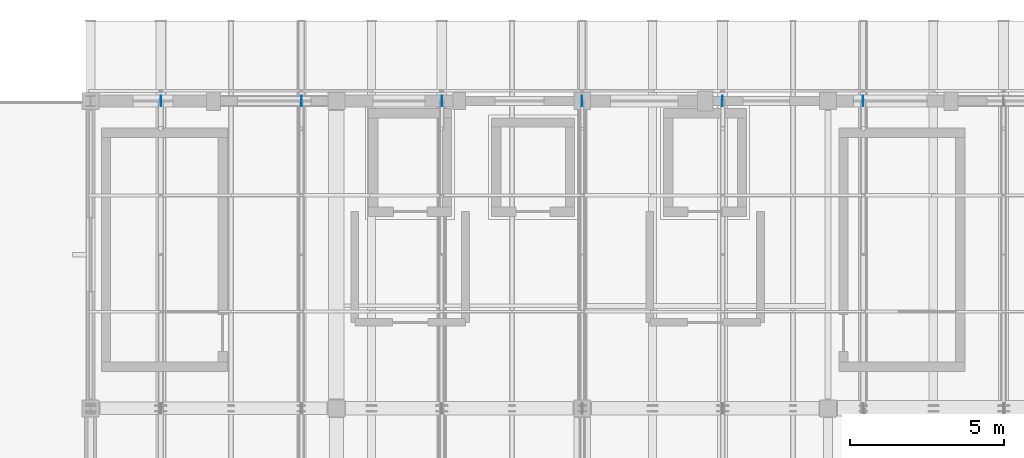
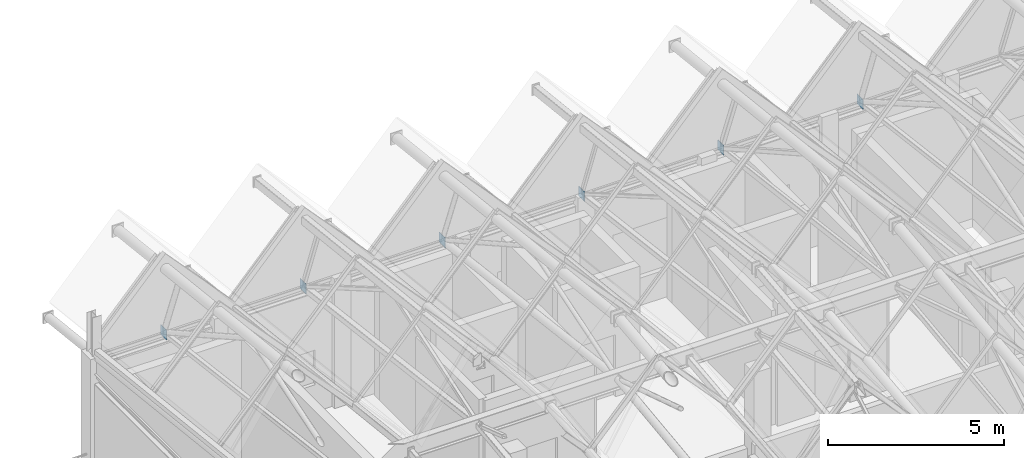
# One storey, part 8 of 15: 6 plates.
"""IFC4 building model written with IfcOpenShell, lengths in metres."""

import ifcopenshell
import ifcopenshell.guid

model = None  # the IFC model being written
_history = None  # IfcOwnerHistory: only IFC2X3 demands one
_inside = {}  # id of a spatial element -> (the spatial element, [elements in it])
_under = {}  # id of a project, library or spatial element -> (it, [spatial elements below it])
_declared = {}  # id of a project -> (the project, [libraries it declares])
_typed = {}  # id of a type object -> (the type object, [elements of that type])
_made_of = {}  # id of a material, layer set ... -> (it, [elements and type objects made of it])


def new_model(schema):
    """Start an empty IFC model of exactly this schema.

    Asked for "IFC4X3", IfcOpenShell would pick the latest addendum, in which some entities
    have other attributes; the version numbers below select the first issue.
    IFC2X3 requires an IfcOwnerHistory on every rooted entity: one is made here for all.
    """
    global model, _history
    if schema == "IFC4X3":
        model = ifcopenshell.file(schema_version=(4, 3, 0, 0))
    else:
        model = ifcopenshell.file(schema=schema)
    _inside.clear()
    _under.clear()
    _declared.clear()
    _typed.clear()
    _made_of.clear()
    _history = None
    if model.schema == "IFC2X3":
        org = make("IfcOrganization", Name="unknown")
        user = make(
            "IfcPersonAndOrganization",
            ThePerson=make("IfcPerson", FamilyName="unknown"),
            TheOrganization=org,
        )
        app = make(
            "IfcApplication",
            ApplicationDeveloper=org,
            Version="unknown",
            ApplicationFullName="unknown",
            ApplicationIdentifier="unknown",
        )
        _history = make(
            "IfcOwnerHistory",
            OwningUser=user,
            OwningApplication=app,
            ChangeAction="ADDED",
            CreationDate=0,
        )
    return model


def make(cls, **values):
    """One entity of the class cls with the attributes given. An attribute that is None is left unset."""
    return model.create_entity(
        cls, **{name: value for name, value in values.items() if value is not None}
    )


def rooted(cls, **values):
    """An entity with a GlobalId (a new one), such as an element, a storey or a relation."""
    return make(cls, GlobalId=ifcopenshell.guid.new(), OwnerHistory=_history, **values)


def si_unit(unit_type, name, prefix=None):
    """IfcSIUnit, for example si_unit("LENGTHUNIT", "METRE", prefix="MILLI")."""
    return make("IfcSIUnit", UnitType=unit_type, Prefix=prefix, Name=name)


def assignment(units):
    """IfcUnitAssignment: the units of a project."""
    return None if units is None else make("IfcUnitAssignment", Units=units)


def point(xyz):
    """IfcCartesianPoint."""
    return None if xyz is None else make("IfcCartesianPoint", Coordinates=xyz)


def direction(xyz):
    """IfcDirection."""
    return None if xyz is None else make("IfcDirection", DirectionRatios=xyz)


def frame(location, z_axis=None, x_axis=None):
    """IfcAxis2Placement3D, a coordinate frame: its origin and axes. An axis left out is left unset."""
    return make(
        "IfcAxis2Placement3D",
        Location=point(location),
        Axis=direction(z_axis),
        RefDirection=direction(x_axis),
    )


def frame_2d(location, x_axis=None):
    """IfcAxis2Placement2D, a coordinate frame in the plane: its origin and x axis."""
    return make(
        "IfcAxis2Placement2D", Location=point(location), RefDirection=direction(x_axis)
    )


def origin():
    """The frame at (0, 0, 0) with its axes left unset."""
    return frame((0.0, 0.0, 0.0))


def origin_2d():
    """The frame at (0, 0) in the plane with its x axis left unset."""
    return frame_2d((0.0, 0.0))


def place(relative_to, where):
    """IfcLocalPlacement: puts the frame where relative to a parent placement (None: the world)."""
    return make(
        "IfcLocalPlacement", PlacementRelTo=relative_to, RelativePlacement=where
    )


def context(
    kind, dimensions, precision=None, world=None, true_north=None, identifier=None
):
    """IfcGeometricRepresentationContext, for example the 3D "Model" context."""
    return make(
        "IfcGeometricRepresentationContext",
        ContextIdentifier=identifier,
        ContextType=kind,
        CoordinateSpaceDimension=dimensions,
        Precision=precision,
        WorldCoordinateSystem=world,
        TrueNorth=true_north,
    )


def subcontext(parent, identifier, kind, view, scale=None):
    """IfcGeometricRepresentationSubContext, for example "Body" below "Model"."""
    return make(
        "IfcGeometricRepresentationSubContext",
        ContextIdentifier=identifier,
        ContextType=kind,
        ParentContext=parent,
        TargetScale=scale,
        TargetView=view,
    )


def project(units=None, contexts=None):
    """IfcProject with its units and contexts."""
    return rooted(
        "IfcProject",
        Name="project",
        RepresentationContexts=contexts,
        UnitsInContext=assignment(units),
    )


def spatial(cls, under=None, at=None, **own):
    """A site, building, storey or space (cls), placed at a placement, below another one or the project."""
    s = rooted(cls, ObjectPlacement=at, **own)
    if under is not None:
        _under.setdefault(under.id(), (under, []))[1].append(s)
    return s


def profile(cls, at=None, kind="AREA", **sizes):
    """A parametric profile (cls). Its sizes go by their IFC names, for example OverallWidth=200.0."""
    return make(cls, ProfileType=kind, Position=at, **sizes)


def rectangle(**sizes):
    """IfcRectangleProfileDef."""
    return profile("IfcRectangleProfileDef", **sizes)


def extrude(swept, where, along, depth):
    """IfcExtrudedAreaSolid: the profile swept, set in the frame where, extruded along a direction by depth."""
    return make(
        "IfcExtrudedAreaSolid",
        SweptArea=swept,
        Position=where,
        ExtrudedDirection=direction(along),
        Depth=depth,
    )


def shape(context_of_items, identifier, shape_type, items):
    """IfcShapeRepresentation: the items that make up one representation, for example the "Body"."""
    return make(
        "IfcShapeRepresentation",
        ContextOfItems=context_of_items,
        RepresentationIdentifier=identifier,
        RepresentationType=shape_type,
        Items=items,
    )


def material(Name=None, Category=None):
    """IfcMaterial."""
    return make("IfcMaterial", Name=Name, Category=Category)


def layer(
    of_material, thickness, ventilated=None, Name=None, Category=None, Priority=None
):
    """IfcMaterialLayer: one layer of a wall or slab, of a material (None: an air gap)."""
    return make(
        "IfcMaterialLayer",
        Material=of_material,
        LayerThickness=thickness,
        IsVentilated=ventilated,
        Name=Name,
        Category=Category,
        Priority=Priority,
    )


def layer_set(layers, Name=None):
    """IfcMaterialLayerSet."""
    return make("IfcMaterialLayerSet", MaterialLayers=layers, LayerSetName=Name)


def made_of(thing, what):
    """Note that an element or type object is made of a material, layer set ...; save() writes the relation."""
    if what is not None:
        _made_of.setdefault(what.id(), (what, []))[1].append(thing)
    return thing


def type_object(cls, material=None, **own):
    """A type object (cls), such as IfcWallType, which elements share."""
    return made_of(rooted(cls, **own), material)


def element(
    cls,
    number,
    at=None,
    inside=None,
    cuts=None,
    type_object=None,
    material=None,
    context=None,
    identifier="Body",
    shape_type=None,
    held_by="IfcProductDefinitionShape",
    body=None,
    shapes=None,
    **own,
):
    """One element of the class cls, such as IfcWall. Its Tag is "e" and its number.

    at: its placement. inside: the storey or other place that contains it. cuts: it is an
    opening in that element (IfcRelVoidsElement). A single representation is given by context,
    identifier, shape_type and body (its items); several are given by shapes. held_by: the class
    of the entity that holds the representations. save() writes the other relations.
    """
    e = rooted(cls, Tag="e%d" % number, ObjectPlacement=at, **own)
    if body is not None:
        shapes = [shape(context, identifier, shape_type, body)]
    if shapes is not None:
        e.Representation = make(held_by, Representations=shapes)
    if inside is not None:
        _inside.setdefault(inside.id(), (inside, []))[1].append(e)
    if cuts is not None:
        rooted(
            "IfcRelVoidsElement", RelatingBuildingElement=cuts, RelatedOpeningElement=e
        )
    if type_object is not None:
        _typed.setdefault(type_object.id(), (type_object, []))[1].append(e)
    return made_of(e, material)


def aggregate(whole, parts):
    """IfcRelAggregates: a whole, such as a stair, and the parts it consists of."""
    return rooted("IfcRelAggregates", RelatingObject=whole, RelatedObjects=parts)


def save(model, path):
    """Write the relations noted so far, then the file.

    IfcRelAggregates (storeys below a building ...), IfcRelContainedInSpatialStructure (elements
    in a storey), IfcRelDefinesByType, IfcRelAssociatesMaterial and IfcRelDeclares: one each for
    every whole, place, type object, material and project.
    """
    for whole, parts in _under.values():
        aggregate(whole, parts)
    for where, things in _inside.values():
        rooted(
            "IfcRelContainedInSpatialStructure",
            RelatedElements=things,
            RelatingStructure=where,
        )
    for kind, things in _typed.values():
        rooted("IfcRelDefinesByType", RelatedObjects=things, RelatingType=kind)
    for what, things in _made_of.values():
        rooted("IfcRelAssociatesMaterial", RelatedObjects=things, RelatingMaterial=what)
    for by, libraries in _declared.values():
        rooted("IfcRelDeclares", RelatingContext=by, RelatedDefinitions=libraries)
    model.write(path)


model = new_model("IFC4")

# Units and contexts
model_context = context("Model", 3, precision=1e-05, world=origin(), true_north=direction((0.0, 1.0)))
body_context = subcontext(model_context, "Body", "Model", "MODEL_VIEW")
ifc_project = project(units=[si_unit("LENGTHUNIT", "METRE"), si_unit("AREAUNIT", "SQUARE_METRE"), si_unit("VOLUMEUNIT", "CUBIC_METRE"), si_unit("PLANEANGLEUNIT", "RADIAN"), si_unit("MASSUNIT", "GRAM", prefix="KILO")], contexts=[model_context])

# Site, building, storey
site_placement = place(None, origin())
site = spatial("IfcSite", under=ifc_project, at=site_placement, CompositionType="ELEMENT")
building_placement = place(site_placement, origin())
building = spatial("IfcBuilding", under=site, at=building_placement, Name="Luwemba Playhouse", CompositionType="ELEMENT")
storey_placement = place(building_placement, frame((0.0, 0.0, 22.800048828125)))
storey = spatial("IfcBuildingStorey", under=building, at=storey_placement, Name="L05", CompositionType="ELEMENT", Elevation=22.800048828125)

# Plates
ifc_material = material(Name="Steel S355", Category="steel")
ifc_layer = layer(ifc_material, 0.01611328125)
ifc_layer_set = layer_set([ifc_layer], Name="Steel S355")
plate_type = type_object("IfcPlateType", Name="PLT-GP1", PredefinedType="USERDEFINED", material=ifc_layer_set)
for number, where, z_axis, x_axis, name in (
    (1, (142.28564453125, 115.0, 4.22998046875), (0.0, 0.0, 1.0), (1.0, 0.0, 0.0), "Truss node gusset cap plate 0177"),
    (2, (146.857177734375, 115.0, 4.22998046875), (0.0, 0.0, 1.0), (1.0, 0.0, 0.0), "Truss node gusset cap plate 0180"),
    (3, (151.4287109375, 115.0, 4.22998046875), (0.0, 0.0, 1.0), (1.0, 0.0, 0.0), "Truss node gusset cap plate 0183"),
    (4, (156.0, 115.0, 4.22998046875), (0.0, 0.0, 1.0), (1.0, 0.0, 0.0), "Truss node gusset cap plate 0186"),
    (5, (160.5712890625, 115.0, 4.22998046875), (0.0, 0.0, 1.0), (1.0, 0.0, 0.0), "Truss node gusset cap plate 0189"),
    (6, (165.142822265625, 115.0, 4.22998046875), (0.0, 0.0, 1.0), (1.0, 0.0, 0.0), "Truss node gusset cap plate 0192"),
):
    element("IfcPlate", number, at=place(storey_placement, frame(where, z_axis=z_axis, x_axis=x_axis)), inside=storey, type_object=plate_type, Name=name, ObjectType="GUSSET PLATE", PredefinedType="USERDEFINED", context=body_context, shape_type="SweptSolid", body=[
        extrude(rectangle(XDim=0.01611328125, YDim=0.340087890625, at=origin_2d()), origin(), (0.0, 0.0, 1.0), 0.340087890625),
    ])

save(model, "model.ifc")
